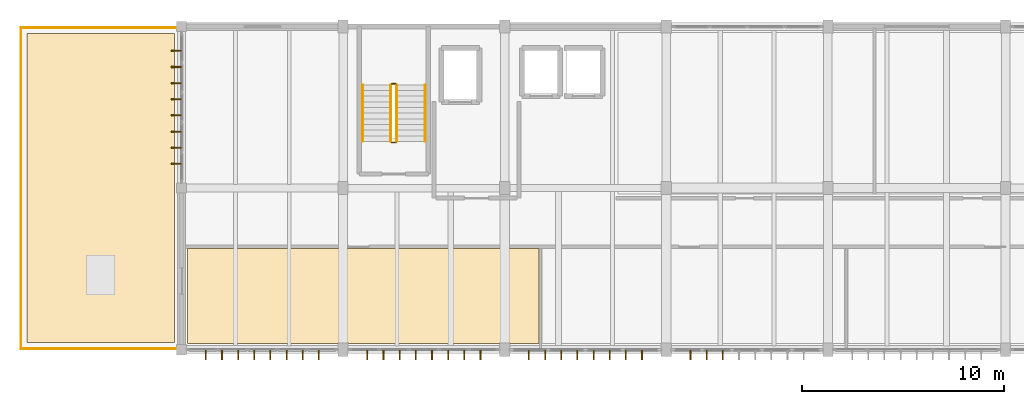
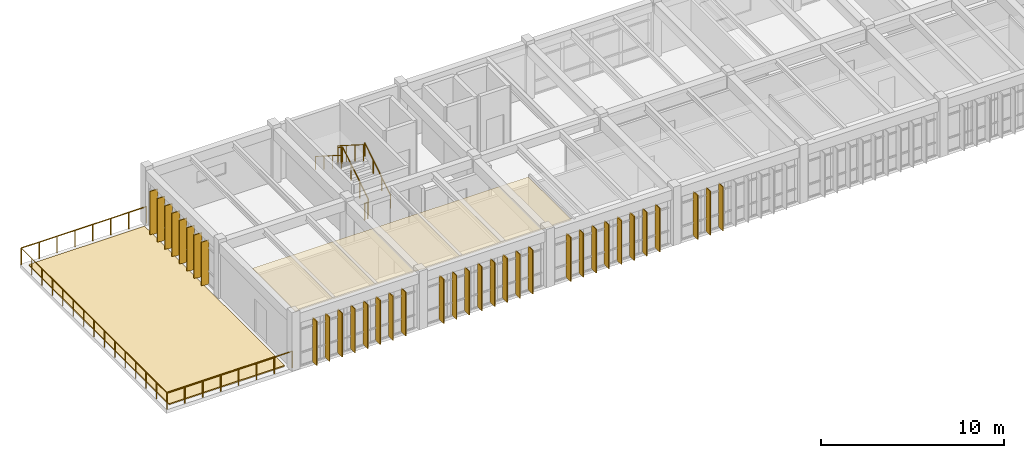
# One storey, part 13 of 15: 35 shading devices, 9 railings, 2 coverings.
"""IFC4 building model written with IfcOpenShell, lengths in metres."""

import ifcopenshell
import ifcopenshell.guid

model = None  # the IFC model being written
_history = None  # IfcOwnerHistory: only IFC2X3 demands one
_inside = {}  # id of a spatial element -> (the spatial element, [elements in it])
_under = {}  # id of a project, library or spatial element -> (it, [spatial elements below it])
_declared = {}  # id of a project -> (the project, [libraries it declares])
_typed = {}  # id of a type object -> (the type object, [elements of that type])
_made_of = {}  # id of a material, layer set ... -> (it, [elements and type objects made of it])


def new_model(schema):
    """Start an empty IFC model of exactly this schema.

    Asked for "IFC4X3", IfcOpenShell would pick the latest addendum, in which some entities
    have other attributes; the version numbers below select the first issue.
    IFC2X3 requires an IfcOwnerHistory on every rooted entity: one is made here for all.
    """
    global model, _history
    if schema == "IFC4X3":
        model = ifcopenshell.file(schema_version=(4, 3, 0, 0))
    else:
        model = ifcopenshell.file(schema=schema)
    _inside.clear()
    _under.clear()
    _declared.clear()
    _typed.clear()
    _made_of.clear()
    _history = None
    if model.schema == "IFC2X3":
        org = make("IfcOrganization", Name="unknown")
        user = make(
            "IfcPersonAndOrganization",
            ThePerson=make("IfcPerson", FamilyName="unknown"),
            TheOrganization=org,
        )
        app = make(
            "IfcApplication",
            ApplicationDeveloper=org,
            Version="unknown",
            ApplicationFullName="unknown",
            ApplicationIdentifier="unknown",
        )
        _history = make(
            "IfcOwnerHistory",
            OwningUser=user,
            OwningApplication=app,
            ChangeAction="ADDED",
            CreationDate=0,
        )
    return model


def make(cls, **values):
    """One entity of the class cls with the attributes given. An attribute that is None is left unset."""
    return model.create_entity(
        cls, **{name: value for name, value in values.items() if value is not None}
    )


def rooted(cls, **values):
    """An entity with a GlobalId (a new one), such as an element, a storey or a relation."""
    return make(cls, GlobalId=ifcopenshell.guid.new(), OwnerHistory=_history, **values)


def si_unit(unit_type, name, prefix=None):
    """IfcSIUnit, for example si_unit("LENGTHUNIT", "METRE", prefix="MILLI")."""
    return make("IfcSIUnit", UnitType=unit_type, Prefix=prefix, Name=name)


def assignment(units):
    """IfcUnitAssignment: the units of a project."""
    return None if units is None else make("IfcUnitAssignment", Units=units)


def point(xyz):
    """IfcCartesianPoint."""
    return None if xyz is None else make("IfcCartesianPoint", Coordinates=xyz)


def direction(xyz):
    """IfcDirection."""
    return None if xyz is None else make("IfcDirection", DirectionRatios=xyz)


def frame(location, z_axis=None, x_axis=None):
    """IfcAxis2Placement3D, a coordinate frame: its origin and axes. An axis left out is left unset."""
    return make(
        "IfcAxis2Placement3D",
        Location=point(location),
        Axis=direction(z_axis),
        RefDirection=direction(x_axis),
    )


def frame_2d(location, x_axis=None):
    """IfcAxis2Placement2D, a coordinate frame in the plane: its origin and x axis."""
    return make(
        "IfcAxis2Placement2D", Location=point(location), RefDirection=direction(x_axis)
    )


def origin():
    """The frame at (0, 0, 0) with its axes left unset."""
    return frame((0.0, 0.0, 0.0))


def origin_2d():
    """The frame at (0, 0) in the plane with its x axis left unset."""
    return frame_2d((0.0, 0.0))


def place(relative_to, where):
    """IfcLocalPlacement: puts the frame where relative to a parent placement (None: the world)."""
    return make(
        "IfcLocalPlacement", PlacementRelTo=relative_to, RelativePlacement=where
    )


def context(
    kind, dimensions, precision=None, world=None, true_north=None, identifier=None
):
    """IfcGeometricRepresentationContext, for example the 3D "Model" context."""
    return make(
        "IfcGeometricRepresentationContext",
        ContextIdentifier=identifier,
        ContextType=kind,
        CoordinateSpaceDimension=dimensions,
        Precision=precision,
        WorldCoordinateSystem=world,
        TrueNorth=true_north,
    )


def subcontext(parent, identifier, kind, view, scale=None):
    """IfcGeometricRepresentationSubContext, for example "Body" below "Model"."""
    return make(
        "IfcGeometricRepresentationSubContext",
        ContextIdentifier=identifier,
        ContextType=kind,
        ParentContext=parent,
        TargetScale=scale,
        TargetView=view,
    )


def project(units=None, contexts=None):
    """IfcProject with its units and contexts."""
    return rooted(
        "IfcProject",
        Name="project",
        RepresentationContexts=contexts,
        UnitsInContext=assignment(units),
    )


def spatial(cls, under=None, at=None, **own):
    """A site, building, storey or space (cls), placed at a placement, below another one or the project."""
    s = rooted(cls, ObjectPlacement=at, **own)
    if under is not None:
        _under.setdefault(under.id(), (under, []))[1].append(s)
    return s


def polyline(points):
    """IfcPolyline through the points."""
    return make("IfcPolyline", Points=[point(p) for p in points])


def profile(cls, at=None, kind="AREA", **sizes):
    """A parametric profile (cls). Its sizes go by their IFC names, for example OverallWidth=200.0."""
    return make(cls, ProfileType=kind, Position=at, **sizes)


def rectangle(**sizes):
    """IfcRectangleProfileDef."""
    return profile("IfcRectangleProfileDef", **sizes)


def circle(**sizes):
    """IfcCircleProfileDef."""
    return profile("IfcCircleProfileDef", **sizes)


def outline(outer, holes=None, kind="AREA"):
    """IfcArbitraryClosedProfileDef: a profile drawn as a closed curve; with holes, ...WithVoids."""
    if holes is None:
        return make("IfcArbitraryClosedProfileDef", ProfileType=kind, OuterCurve=outer)
    return make(
        "IfcArbitraryProfileDefWithVoids",
        ProfileType=kind,
        OuterCurve=outer,
        InnerCurves=holes,
    )


def extrude(swept, where, along, depth):
    """IfcExtrudedAreaSolid: the profile swept, set in the frame where, extruded along a direction by depth."""
    return make(
        "IfcExtrudedAreaSolid",
        SweptArea=swept,
        Position=where,
        ExtrudedDirection=direction(along),
        Depth=depth,
    )


def shape(context_of_items, identifier, shape_type, items):
    """IfcShapeRepresentation: the items that make up one representation, for example the "Body"."""
    return make(
        "IfcShapeRepresentation",
        ContextOfItems=context_of_items,
        RepresentationIdentifier=identifier,
        RepresentationType=shape_type,
        Items=items,
    )


def material(Name=None, Category=None):
    """IfcMaterial."""
    return make("IfcMaterial", Name=Name, Category=Category)


def layer(
    of_material, thickness, ventilated=None, Name=None, Category=None, Priority=None
):
    """IfcMaterialLayer: one layer of a wall or slab, of a material (None: an air gap)."""
    return make(
        "IfcMaterialLayer",
        Material=of_material,
        LayerThickness=thickness,
        IsVentilated=ventilated,
        Name=Name,
        Category=Category,
        Priority=Priority,
    )


def layer_set(layers, Name=None):
    """IfcMaterialLayerSet."""
    return make("IfcMaterialLayerSet", MaterialLayers=layers, LayerSetName=Name)


def made_of(thing, what):
    """Note that an element or type object is made of a material, layer set ...; save() writes the relation."""
    if what is not None:
        _made_of.setdefault(what.id(), (what, []))[1].append(thing)
    return thing


def type_object(cls, material=None, **own):
    """A type object (cls), such as IfcWallType, which elements share."""
    return made_of(rooted(cls, **own), material)


def element(
    cls,
    number,
    at=None,
    inside=None,
    cuts=None,
    type_object=None,
    material=None,
    context=None,
    identifier="Body",
    shape_type=None,
    held_by="IfcProductDefinitionShape",
    body=None,
    shapes=None,
    **own,
):
    """One element of the class cls, such as IfcWall. Its Tag is "e" and its number.

    at: its placement. inside: the storey or other place that contains it. cuts: it is an
    opening in that element (IfcRelVoidsElement). A single representation is given by context,
    identifier, shape_type and body (its items); several are given by shapes. held_by: the class
    of the entity that holds the representations. save() writes the other relations.
    """
    e = rooted(cls, Tag="e%d" % number, ObjectPlacement=at, **own)
    if body is not None:
        shapes = [shape(context, identifier, shape_type, body)]
    if shapes is not None:
        e.Representation = make(held_by, Representations=shapes)
    if inside is not None:
        _inside.setdefault(inside.id(), (inside, []))[1].append(e)
    if cuts is not None:
        rooted(
            "IfcRelVoidsElement", RelatingBuildingElement=cuts, RelatedOpeningElement=e
        )
    if type_object is not None:
        _typed.setdefault(type_object.id(), (type_object, []))[1].append(e)
    return made_of(e, material)


def aggregate(whole, parts):
    """IfcRelAggregates: a whole, such as a stair, and the parts it consists of."""
    return rooted("IfcRelAggregates", RelatingObject=whole, RelatedObjects=parts)


def save(model, path):
    """Write the relations noted so far, then the file.

    IfcRelAggregates (storeys below a building ...), IfcRelContainedInSpatialStructure (elements
    in a storey), IfcRelDefinesByType, IfcRelAssociatesMaterial and IfcRelDeclares: one each for
    every whole, place, type object, material and project.
    """
    for whole, parts in _under.values():
        aggregate(whole, parts)
    for where, things in _inside.values():
        rooted(
            "IfcRelContainedInSpatialStructure",
            RelatedElements=things,
            RelatingStructure=where,
        )
    for kind, things in _typed.values():
        rooted("IfcRelDefinesByType", RelatedObjects=things, RelatingType=kind)
    for what, things in _made_of.values():
        rooted("IfcRelAssociatesMaterial", RelatedObjects=things, RelatingMaterial=what)
    for by, libraries in _declared.values():
        rooted("IfcRelDeclares", RelatingContext=by, RelatedDefinitions=libraries)
    model.write(path)


model = new_model("IFC4")

# Units and contexts
model_context = context("Model", 3, precision=1e-05, world=origin(), true_north=direction((0.0, 1.0)))
body_context = subcontext(model_context, "Body", "Model", "MODEL_VIEW")
ifc_project = project(units=[si_unit("LENGTHUNIT", "METRE"), si_unit("AREAUNIT", "SQUARE_METRE"), si_unit("VOLUMEUNIT", "CUBIC_METRE"), si_unit("PLANEANGLEUNIT", "RADIAN"), si_unit("MASSUNIT", "GRAM", prefix="KILO")], contexts=[model_context])

# Site, building, storey
site_placement = place(None, origin())
site = spatial("IfcSite", under=ifc_project, at=site_placement, CompositionType="ELEMENT")
building_placement = place(site_placement, origin())
building = spatial("IfcBuilding", under=site, at=building_placement, Name="Tlaxcora Railside Police Headquarters", CompositionType="ELEMENT")
storey_placement = place(building_placement, frame((0.0, 0.0, 25.800048828125)))
storey = spatial("IfcBuildingStorey", under=building, at=storey_placement, Name="L06", CompositionType="ELEMENT", Elevation=25.800048828125)

# Coverings
ifc_material_1 = material(Name="Mineral-fibre acoustic ceiling tile")
ifc_layer_1 = layer(ifc_material_1, 0.034912109375, Name="Mineral-fibre acoustic ceiling tile")
ifc_layer_set_1 = layer_set([ifc_layer_1], Name="Mineral-fibre acoustic ceiling tile")
covering_type_1 = type_object("IfcCoveringType", Name="Acoustic Suspended Ceiling CLG-01", PredefinedType="CEILING", material=ifc_layer_set_1)
covering_1_placement = place(storey_placement, frame((0.0, 0.0, 3.46484375)))
element("IfcCovering", 1, at=covering_1_placement, inside=storey, type_object=covering_type_1, Name="Internal Affairs Investigation Suite suspended ceiling", PredefinedType="CEILING", context=body_context, shape_type="SweptSolid", body=[
    extrude(outline(polyline([(30.887939453125, 77.10009765625), (30.887939453125, 81.800048828125), (13.5, 81.800048828125), (13.5, 77.10009765625), (20.93994140625, 77.10009765625), (20.93994140625, 77.135009765625), (21.4599609375, 77.135009765625), (21.4599609375, 77.10009765625), (28.93994140625, 77.10009765625), (28.93994140625, 77.135009765625), (29.4599609375, 77.135009765625), (29.4599609375, 77.10009765625), (30.887939453125, 77.10009765625)])), origin(), (0.0, 0.0, 1.0), 0.03515625),
])
ifc_material_2 = material(Name="Modified EPDM waterproofing and volcanic-ash protection membrane")
ifc_layer_2 = layer(ifc_material_2, 0.080078125, Name="Modified EPDM waterproofing and volcanic-ash protection membrane")
ifc_layer_set_2 = layer_set([ifc_layer_2], Name="Modified EPDM waterproofing and volcanic-ash protection membrane")
covering_type_2 = type_object("IfcCoveringType", Name="Planted Roof Garden Waterproofing RF-01", PredefinedType="ROOFING", material=ifc_layer_set_2)
covering_2_placement = place(storey_placement, origin())
element("IfcCovering", 2, at=covering_2_placement, inside=storey, type_object=covering_type_2, Name="TERR-V5-L06-W planted waterproofing layer", PredefinedType="ROOFING", context=body_context, shape_type="SweptSolid", body=[
    extrude(outline(polyline([(12.85009765625, 77.14990234375), (12.85009765625, 92.449951171875), (5.550048828125, 92.449951171875), (5.550048828125, 77.14990234375), (12.85009765625, 77.14990234375)])), origin(), (0.0, 0.0, 1.0), 0.079833984375),
])

# Shading devices
ifc_material_3 = material(Name="Anodised aluminium framing", Category="aluminium")
ifc_layer_3 = layer(ifc_material_3, 0.054931640625, Name="Anodised aluminium framing")
ifc_layer_set_3 = layer_set([ifc_layer_3], Name="Anodised aluminium framing")
shading_device_type = type_object("IfcShadingDeviceType", Name="Solar Control Fin SF-01", PredefinedType="JALOUSIE", material=ifc_layer_set_3)
for number, where, z_axis, x_axis, name in (
    (3, (14.39990234375, 76.5400390625, 0.0400390625), (0.0, 0.0, 1.0), (0.0, -1.0, 0.0), "Vertical solar fin 614"),
    (4, (15.199951171875, 76.5400390625, 0.0400390625), (0.0, 0.0, 1.0), (0.0, -1.0, 0.0), "Vertical solar fin 615"),
    (5, (16.0, 76.5400390625, 0.0400390625), (0.0, 0.0, 1.0), (0.0, -1.0, 0.0), "Vertical solar fin 616"),
    (6, (16.800048828125, 76.5400390625, 0.0400390625), (0.0, 0.0, 1.0), (0.0, -1.0, 0.0), "Vertical solar fin 617"),
    (7, (17.60009765625, 76.5400390625, 0.0400390625), (0.0, 0.0, 1.0), (0.0, -1.0, 0.0), "Vertical solar fin 618"),
    (8, (18.39990234375, 76.5400390625, 0.0400390625), (0.0, 0.0, 1.0), (0.0, -1.0, 0.0), "Vertical solar fin 619"),
    (9, (19.199951171875, 76.5400390625, 0.0400390625), (0.0, 0.0, 1.0), (0.0, -1.0, 0.0), "Vertical solar fin 620"),
    (10, (20.0, 76.5400390625, 0.0400390625), (0.0, 0.0, 1.0), (0.0, -1.0, 0.0), "Vertical solar fin 621"),
    (11, (22.39990234375, 76.5400390625, 0.0400390625), (0.0, 0.0, 1.0), (0.0, -1.0, 0.0), "Vertical solar fin 622"),
    (12, (23.199951171875, 76.5400390625, 0.0400390625), (0.0, 0.0, 1.0), (0.0, -1.0, 0.0), "Vertical solar fin 623"),
    (13, (24.0, 76.5400390625, 0.0400390625), (0.0, 0.0, 1.0), (0.0, -1.0, 0.0), "Vertical solar fin 624"),
    (14, (24.800048828125, 76.5400390625, 0.0400390625), (0.0, 0.0, 1.0), (0.0, -1.0, 0.0), "Vertical solar fin 625"),
    (15, (25.60009765625, 76.5400390625, 0.0400390625), (0.0, 0.0, 1.0), (0.0, -1.0, 0.0), "Vertical solar fin 626"),
    (16, (26.39990234375, 76.5400390625, 0.0400390625), (0.0, 0.0, 1.0), (0.0, -1.0, 0.0), "Vertical solar fin 627"),
    (17, (27.199951171875, 76.5400390625, 0.0400390625), (0.0, 0.0, 1.0), (0.0, -1.0, 0.0), "Vertical solar fin 628"),
    (18, (28.0, 76.5400390625, 0.0400390625), (0.0, 0.0, 1.0), (0.0, -1.0, 0.0), "Vertical solar fin 629"),
    (19, (30.39990234375, 76.5400390625, 0.0400390625), (0.0, 0.0, 1.0), (0.0, -1.0, 0.0), "Vertical solar fin 630"),
    (20, (31.199951171875, 76.5400390625, 0.0400390625), (0.0, 0.0, 1.0), (0.0, -1.0, 0.0), "Vertical solar fin 631"),
    (21, (32.0, 76.5400390625, 0.0400390625), (0.0, 0.0, 1.0), (0.0, -1.0, 0.0), "Vertical solar fin 632"),
    (22, (32.800048828125, 76.5400390625, 0.0400390625), (0.0, 0.0, 1.0), (0.0, -1.0, 0.0), "Vertical solar fin 633"),
    (23, (33.60009765625, 76.5400390625, 0.0400390625), (0.0, 0.0, 1.0), (0.0, -1.0, 0.0), "Vertical solar fin 634"),
    (24, (34.39990234375, 76.5400390625, 0.0400390625), (0.0, 0.0, 1.0), (0.0, -1.0, 0.0), "Vertical solar fin 635"),
    (25, (35.199951171875, 76.5400390625, 0.0400390625), (0.0, 0.0, 1.0), (0.0, -1.0, 0.0), "Vertical solar fin 636"),
    (26, (36.0, 76.5400390625, 0.0400390625), (0.0, 0.0, 1.0), (0.0, -1.0, 0.0), "Vertical solar fin 637"),
    (27, (38.39990234375, 76.5400390625, 0.0400390625), (0.0, 0.0, 1.0), (0.0, -1.0, 0.0), "Vertical solar fin 638"),
    (28, (39.199951171875, 76.5400390625, 0.0400390625), (0.0, 0.0, 1.0), (0.0, -1.0, 0.0), "Vertical solar fin 639"),
    (29, (40.0, 76.5400390625, 0.0400390625), (0.0, 0.0, 1.0), (0.0, -1.0, 0.0), "Vertical solar fin 640"),
    (30, (12.93994140625, 91.60009765625, 0.0400390625), (0.0, 0.0, 1.0), (-1.0, 0.0, 0.0), "Vertical solar fin 687"),
    (31, (12.93994140625, 90.800048828125, 0.0400390625), (0.0, 0.0, 1.0), (-1.0, 0.0, 0.0), "Vertical solar fin 688"),
    (32, (12.93994140625, 90.0, 0.0400390625), (0.0, 0.0, 1.0), (-1.0, 0.0, 0.0), "Vertical solar fin 689"),
    (33, (12.93994140625, 89.199951171875, 0.0400390625), (0.0, 0.0, 1.0), (-1.0, 0.0, 0.0), "Vertical solar fin 690"),
    (34, (12.93994140625, 88.39990234375, 0.0400390625), (0.0, 0.0, 1.0), (-1.0, 0.0, 0.0), "Vertical solar fin 691"),
    (35, (12.93994140625, 87.60009765625, 0.0400390625), (0.0, 0.0, 1.0), (-1.0, 0.0, 0.0), "Vertical solar fin 692"),
    (36, (12.93994140625, 86.800048828125, 0.0400390625), (0.0, 0.0, 1.0), (-1.0, 0.0, 0.0), "Vertical solar fin 693"),
    (37, (12.93994140625, 86.0, 0.0400390625), (0.0, 0.0, 1.0), (-1.0, 0.0, 0.0), "Vertical solar fin 694"),
):
    element("IfcShadingDevice", number, at=place(storey_placement, frame(where, z_axis=z_axis, x_axis=x_axis)), inside=storey, type_object=shading_device_type, Name=name, PredefinedType="JALOUSIE", context=body_context, shape_type="SweptSolid", body=[
        extrude(rectangle(XDim=0.47998046875, YDim=0.054931640625, at=origin_2d()), origin(), (0.0, 0.0, 1.0), 2.929931640625),
    ])

# Railings
ifc_material_4 = material(Name="Steel ASTM A992 Grade 50", Category="steel")
railing_type_1 = type_object("IfcRailingType", Name="Stair Well Guard Balustrade GR-02", PredefinedType="BALUSTRADE", material=ifc_material_4)
railing_1_placement = place(storey_placement, frame((23.860107421875, 87.110107421875, 0.17724609375)))
element("IfcRailing", 38, at=railing_1_placement, inside=storey, type_object=railing_type_1, Name="L06 ST1 stair guard 1", PredefinedType="BALUSTRADE", context=body_context, shape_type="SweptSolid", body=[
    extrude(circle(Radius=0.02392578125, at=origin_2d()), frame((0.0, 0.0, 1.09619140625), z_axis=(0.0, 0.844887892834, 0.53494340686), x_axis=(-1.0, 0.0, 0.0)), (0.0, 0.0, 1.0), 3.313720703125),
    extrude(circle(Radius=0.02099609375, at=origin_2d()), origin(), (0.0, 0.0, 1.0), 1.072021484375),
    extrude(circle(Radius=0.02099609375, at=origin_2d()), frame((0.0, 0.933349609375, 0.5908203125)), (0.0, 0.0, 1.0), 1.072021484375),
    extrude(circle(Radius=0.02099609375, at=origin_2d()), frame((0.0, 1.866455078125, 1.181884765625)), (0.0, 0.0, 1.0), 1.072021484375),
    extrude(circle(Radius=0.02099609375, at=origin_2d()), frame((0.0, 2.7998046875, 1.772705078125)), (0.0, 0.0, 1.0), 1.072021484375),
])
railing_2_placement = place(storey_placement, frame((23.81005859375, 89.9599609375, 1.949951171875)))
element("IfcRailing", 39, at=railing_2_placement, inside=storey, type_object=railing_type_1, Name="L06 ST1 stair guard 2", PredefinedType="BALUSTRADE", context=body_context, shape_type="SweptSolid", body=[
    extrude(circle(Radius=0.02392578125, at=origin_2d()), frame((0.0, 0.0, 1.09619140625), z_axis=(-1.0, 0.0, 0.0), x_axis=(0.0, -1.0, 0.0)), (0.0, 0.0, 1.0), 0.199951171875),
    extrude(circle(Radius=0.02099609375, at=origin_2d()), origin(), (0.0, 0.0, 1.0), 1.072021484375),
    extrude(circle(Radius=0.02099609375, at=origin_2d()), frame((-0.199951171875, 0.0, 0.0)), (0.0, 0.0, 1.0), 1.072021484375),
])
railing_3_placement = place(storey_placement, frame((23.56005859375, 89.909912109375, 2.127197265625)))
element("IfcRailing", 40, at=railing_3_placement, inside=storey, type_object=railing_type_1, Name="L06 ST1 stair guard 3", PredefinedType="BALUSTRADE", context=body_context, shape_type="SweptSolid", body=[
    extrude(circle(Radius=0.02392578125, at=origin_2d()), frame((0.0, 0.0, 1.09619140625), z_axis=(0.0, -0.844887892834, 0.53494340686), x_axis=(1.0, 0.0, 0.0)), (0.0, 0.0, 1.0), 3.313720703125),
    extrude(circle(Radius=0.02099609375, at=origin_2d()), origin(), (0.0, 0.0, 1.0), 1.072021484375),
    extrude(circle(Radius=0.02099609375, at=origin_2d()), frame((0.0, -0.933349609375, 0.5908203125)), (0.0, 0.0, 1.0), 1.072021484375),
    extrude(circle(Radius=0.02099609375, at=origin_2d()), frame((0.0, -1.866455078125, 1.181884765625)), (0.0, 0.0, 1.0), 1.072021484375),
    extrude(circle(Radius=0.02099609375, at=origin_2d()), frame((0.0, -2.7998046875, 1.772705078125)), (0.0, 0.0, 1.0), 1.072021484375),
])
railing_4_placement = place(storey_placement, frame((23.81005859375, 87.06005859375, 0.0)))
element("IfcRailing", 41, at=railing_4_placement, inside=storey, type_object=railing_type_1, Name="L06 ST1 stair guard 4", PredefinedType="BALUSTRADE", context=body_context, shape_type="SweptSolid", body=[
    extrude(circle(Radius=0.02392578125, at=origin_2d()), frame((0.0, 0.0, 1.09619140625), z_axis=(-1.0, 0.0, 0.0), x_axis=(0.0, -1.0, 0.0)), (0.0, 0.0, 1.0), 0.199951171875),
    extrude(circle(Radius=0.02099609375, at=origin_2d()), origin(), (0.0, 0.0, 1.0), 1.072021484375),
    extrude(circle(Radius=0.02099609375, at=origin_2d()), frame((-0.199951171875, 0.0, 0.0)), (0.0, 0.0, 1.0), 1.072021484375),
])
railing_type_2 = type_object("IfcRailingType", Name="Stair and Ramp Handrail HR-01", PredefinedType="HANDRAIL", material=ifc_material_4)
railing_5_placement = place(storey_placement, frame((25.260009765625, 87.110107421875, 0.17724609375)))
element("IfcRailing", 42, at=railing_5_placement, inside=storey, type_object=railing_type_2, Name="L06 ST1 stair handrail 1", PredefinedType="HANDRAIL", context=body_context, shape_type="SweptSolid", body=[
    extrude(circle(Radius=0.02392578125, at=origin_2d()), frame((0.0, 0.0, 0.8759765625), z_axis=(0.0, 0.844887892834, 0.53494340686), x_axis=(-1.0, 0.0, 0.0)), (0.0, 0.0, 1.0), 3.313720703125),
    extrude(circle(Radius=0.02099609375, at=origin_2d()), origin(), (0.0, 0.0, 1.0), 0.851806640625),
    extrude(circle(Radius=0.02099609375, at=origin_2d()), frame((0.0, 0.933349609375, 0.5908203125)), (0.0, 0.0, 1.0), 0.851806640625),
    extrude(circle(Radius=0.02099609375, at=origin_2d()), frame((0.0, 1.866455078125, 1.181884765625)), (0.0, 0.0, 1.0), 0.851806640625),
    extrude(circle(Radius=0.02099609375, at=origin_2d()), frame((0.0, 2.7998046875, 1.772705078125)), (0.0, 0.0, 1.0), 0.851806640625),
])
railing_6_placement = place(storey_placement, frame((22.159912109375, 89.909912109375, 2.127197265625)))
element("IfcRailing", 43, at=railing_6_placement, inside=storey, type_object=railing_type_2, Name="L06 ST1 stair handrail 2", PredefinedType="HANDRAIL", context=body_context, shape_type="SweptSolid", body=[
    extrude(circle(Radius=0.02392578125, at=origin_2d()), frame((0.0, 0.0, 0.8759765625), z_axis=(0.0, -0.844887892834, 0.53494340686), x_axis=(1.0, 0.0, 0.0)), (0.0, 0.0, 1.0), 3.313720703125),
    extrude(circle(Radius=0.02099609375, at=origin_2d()), origin(), (0.0, 0.0, 1.0), 0.851806640625),
    extrude(circle(Radius=0.02099609375, at=origin_2d()), frame((0.0, -0.933349609375, 0.5908203125)), (0.0, 0.0, 1.0), 0.851806640625),
    extrude(circle(Radius=0.02099609375, at=origin_2d()), frame((0.0, -1.866455078125, 1.181884765625)), (0.0, 0.0, 1.0), 0.851806640625),
    extrude(circle(Radius=0.02099609375, at=origin_2d()), frame((0.0, -2.7998046875, 1.772705078125)), (0.0, 0.0, 1.0), 0.851806640625),
])
railing_type_3 = type_object("IfcRailingType", Name="Terrace Perimeter Guard Balustrade GR-01", PredefinedType="BALUSTRADE", material=ifc_material_4)
railing_7_placement = place(storey_placement, frame((13.14990234375, 76.85009765625, 0.0)))
element("IfcRailing", 44, at=railing_7_placement, inside=storey, type_object=railing_type_3, Name="TERR-V5-L06-W perimeter guard 1", PredefinedType="BALUSTRADE", context=body_context, shape_type="SweptSolid", body=[
    extrude(circle(Radius=0.02392578125, at=origin_2d()), frame((0.0, 0.0, 1.09619140625), z_axis=(-1.0, 0.0, 0.0), x_axis=(0.0, -1.0, 0.0)), (0.0, 0.0, 1.0), 7.89990234375),
    extrude(circle(Radius=0.02099609375, at=origin_2d()), origin(), (0.0, 0.0, 1.0), 1.072021484375),
    extrude(circle(Radius=0.02099609375, at=origin_2d()), frame((-1.128662109375, 0.0, 0.0)), (0.0, 0.0, 1.0), 1.072021484375),
    extrude(circle(Radius=0.02099609375, at=origin_2d()), frame((-2.257080078125, 0.0, 0.0)), (0.0, 0.0, 1.0), 1.072021484375),
    extrude(circle(Radius=0.02099609375, at=origin_2d()), frame((-3.3857421875, 0.0, 0.0)), (0.0, 0.0, 1.0), 1.072021484375),
    extrude(circle(Radius=0.02099609375, at=origin_2d()), frame((-4.51416015625, 0.0, 0.0)), (0.0, 0.0, 1.0), 1.072021484375),
    extrude(circle(Radius=0.02099609375, at=origin_2d()), frame((-5.642822265625, 0.0, 0.0)), (0.0, 0.0, 1.0), 1.072021484375),
    extrude(circle(Radius=0.02099609375, at=origin_2d()), frame((-6.771240234375, 0.0, 0.0)), (0.0, 0.0, 1.0), 1.072021484375),
    extrude(circle(Radius=0.02099609375, at=origin_2d()), frame((-7.89990234375, 0.0, 0.0)), (0.0, 0.0, 1.0), 1.072021484375),
])
railing_8_placement = place(storey_placement, frame((5.25, 76.85009765625, 0.0)))
element("IfcRailing", 45, at=railing_8_placement, inside=storey, type_object=railing_type_3, Name="TERR-V5-L06-W perimeter guard 2", PredefinedType="BALUSTRADE", context=body_context, shape_type="SweptSolid", body=[
    extrude(circle(Radius=0.02392578125, at=origin_2d()), frame((0.0, 0.0, 1.09619140625), z_axis=(0.0, 1.0, 0.0), x_axis=(-1.0, 0.0, 0.0)), (0.0, 0.0, 1.0), 15.89990234375),
    extrude(circle(Radius=0.02099609375, at=origin_2d()), origin(), (0.0, 0.0, 1.0), 1.072021484375),
    extrude(circle(Radius=0.02099609375, at=origin_2d()), frame((0.0, 1.1357421875, 0.0)), (0.0, 0.0, 1.0), 1.072021484375),
    extrude(circle(Radius=0.02099609375, at=origin_2d()), frame((0.0, 2.271484375, 0.0)), (0.0, 0.0, 1.0), 1.072021484375),
    extrude(circle(Radius=0.02099609375, at=origin_2d()), frame((0.0, 3.4072265625, 0.0)), (0.0, 0.0, 1.0), 1.072021484375),
    extrude(circle(Radius=0.02099609375, at=origin_2d()), frame((0.0, 4.542724609375, 0.0)), (0.0, 0.0, 1.0), 1.072021484375),
    extrude(circle(Radius=0.02099609375, at=origin_2d()), frame((0.0, 5.678466796875, 0.0)), (0.0, 0.0, 1.0), 1.072021484375),
    extrude(circle(Radius=0.02099609375, at=origin_2d()), frame((0.0, 6.814208984375, 0.0)), (0.0, 0.0, 1.0), 1.072021484375),
    extrude(circle(Radius=0.02099609375, at=origin_2d()), frame((0.0, 7.949951171875, 0.0)), (0.0, 0.0, 1.0), 1.072021484375),
    extrude(circle(Radius=0.02099609375, at=origin_2d()), frame((0.0, 9.085693359375, 0.0)), (0.0, 0.0, 1.0), 1.072021484375),
    extrude(circle(Radius=0.02099609375, at=origin_2d()), frame((0.0, 10.221435546875, 0.0)), (0.0, 0.0, 1.0), 1.072021484375),
    extrude(circle(Radius=0.02099609375, at=origin_2d()), frame((0.0, 11.357177734375, 0.0)), (0.0, 0.0, 1.0), 1.072021484375),
    extrude(circle(Radius=0.02099609375, at=origin_2d()), frame((0.0, 12.49267578125, 0.0)), (0.0, 0.0, 1.0), 1.072021484375),
    extrude(circle(Radius=0.02099609375, at=origin_2d()), frame((0.0, 13.62841796875, 0.0)), (0.0, 0.0, 1.0), 1.072021484375),
    extrude(circle(Radius=0.02099609375, at=origin_2d()), frame((0.0, 14.76416015625, 0.0)), (0.0, 0.0, 1.0), 1.072021484375),
    extrude(circle(Radius=0.02099609375, at=origin_2d()), frame((0.0, 15.89990234375, 0.0)), (0.0, 0.0, 1.0), 1.072021484375),
])
railing_9_placement = place(storey_placement, frame((5.25, 92.75, 0.0)))
element("IfcRailing", 46, at=railing_9_placement, inside=storey, type_object=railing_type_3, Name="TERR-V5-L06-W perimeter guard 3", PredefinedType="BALUSTRADE", context=body_context, shape_type="SweptSolid", body=[
    extrude(circle(Radius=0.02392578125, at=origin_2d()), frame((0.0, 0.0, 1.09619140625), z_axis=(1.0, 0.0, 0.0), x_axis=(0.0, 1.0, 0.0)), (0.0, 0.0, 1.0), 7.89990234375),
    extrude(circle(Radius=0.02099609375, at=origin_2d()), origin(), (0.0, 0.0, 1.0), 1.072021484375),
    extrude(circle(Radius=0.02099609375, at=origin_2d()), frame((1.128662109375, 0.0, 0.0)), (0.0, 0.0, 1.0), 1.072021484375),
    extrude(circle(Radius=0.02099609375, at=origin_2d()), frame((2.257080078125, 0.0, 0.0)), (0.0, 0.0, 1.0), 1.072021484375),
    extrude(circle(Radius=0.02099609375, at=origin_2d()), frame((3.3857421875, 0.0, 0.0)), (0.0, 0.0, 1.0), 1.072021484375),
    extrude(circle(Radius=0.02099609375, at=origin_2d()), frame((4.51416015625, 0.0, 0.0)), (0.0, 0.0, 1.0), 1.072021484375),
    extrude(circle(Radius=0.02099609375, at=origin_2d()), frame((5.642822265625, 0.0, 0.0)), (0.0, 0.0, 1.0), 1.072021484375),
    extrude(circle(Radius=0.02099609375, at=origin_2d()), frame((6.771240234375, 0.0, 0.0)), (0.0, 0.0, 1.0), 1.072021484375),
    extrude(circle(Radius=0.02099609375, at=origin_2d()), frame((7.89990234375, 0.0, 0.0)), (0.0, 0.0, 1.0), 1.072021484375),
])

save(model, "model.ifc")
